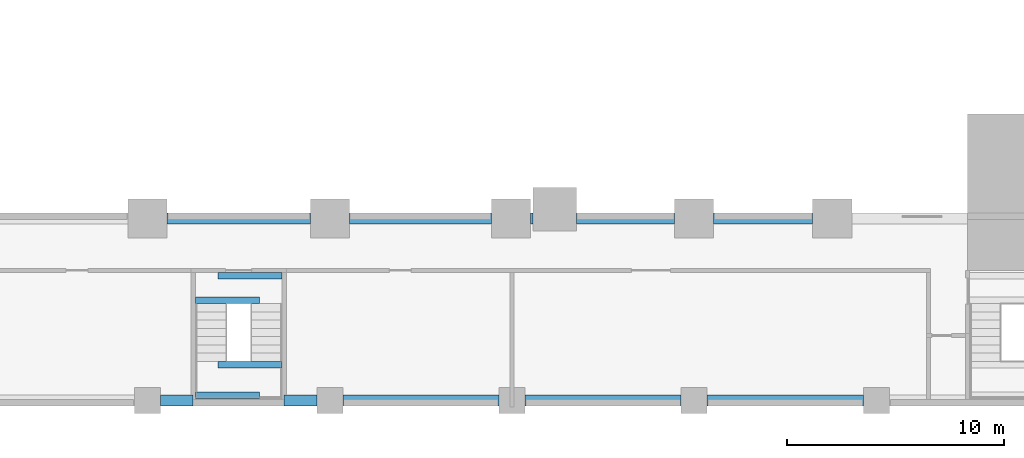
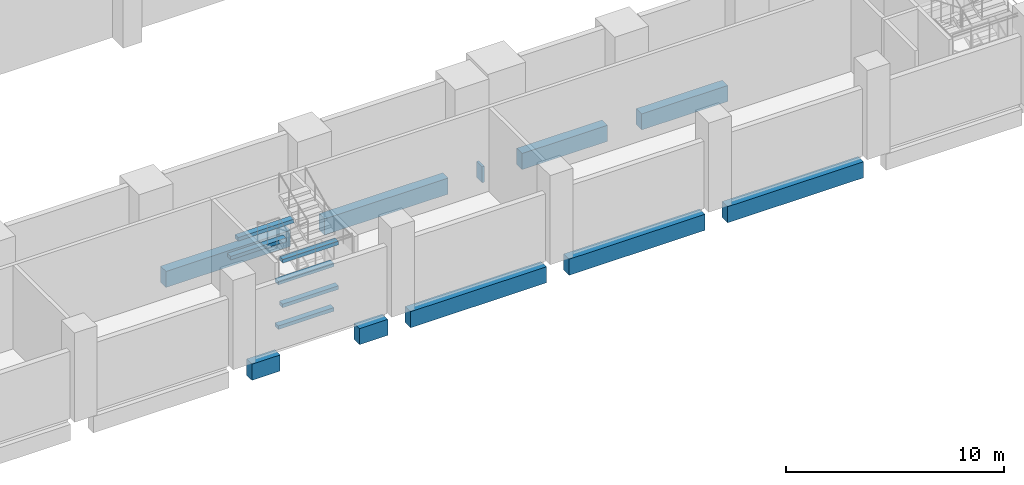
# One storey, part 4 of 28: 16 beams.
"""IFC4 building model written with IfcOpenShell, lengths in metres."""

import ifcopenshell
import ifcopenshell.guid

model = None  # the IFC model being written
_history = None  # IfcOwnerHistory: only IFC2X3 demands one
_inside = {}  # id of a spatial element -> (the spatial element, [elements in it])
_under = {}  # id of a project, library or spatial element -> (it, [spatial elements below it])
_declared = {}  # id of a project -> (the project, [libraries it declares])
_typed = {}  # id of a type object -> (the type object, [elements of that type])
_made_of = {}  # id of a material, layer set ... -> (it, [elements and type objects made of it])


def new_model(schema):
    """Start an empty IFC model of exactly this schema.

    Asked for "IFC4X3", IfcOpenShell would pick the latest addendum, in which some entities
    have other attributes; the version numbers below select the first issue.
    IFC2X3 requires an IfcOwnerHistory on every rooted entity: one is made here for all.
    """
    global model, _history
    if schema == "IFC4X3":
        model = ifcopenshell.file(schema_version=(4, 3, 0, 0))
    else:
        model = ifcopenshell.file(schema=schema)
    _inside.clear()
    _under.clear()
    _declared.clear()
    _typed.clear()
    _made_of.clear()
    _history = None
    if model.schema == "IFC2X3":
        org = make("IfcOrganization", Name="unknown")
        user = make(
            "IfcPersonAndOrganization",
            ThePerson=make("IfcPerson", FamilyName="unknown"),
            TheOrganization=org,
        )
        app = make(
            "IfcApplication",
            ApplicationDeveloper=org,
            Version="unknown",
            ApplicationFullName="unknown",
            ApplicationIdentifier="unknown",
        )
        _history = make(
            "IfcOwnerHistory",
            OwningUser=user,
            OwningApplication=app,
            ChangeAction="ADDED",
            CreationDate=0,
        )
    return model


def make(cls, **values):
    """One entity of the class cls with the attributes given. An attribute that is None is left unset."""
    return model.create_entity(
        cls, **{name: value for name, value in values.items() if value is not None}
    )


def rooted(cls, **values):
    """An entity with a GlobalId (a new one), such as an element, a storey or a relation."""
    return make(cls, GlobalId=ifcopenshell.guid.new(), OwnerHistory=_history, **values)


def si_unit(unit_type, name, prefix=None):
    """IfcSIUnit, for example si_unit("LENGTHUNIT", "METRE", prefix="MILLI")."""
    return make("IfcSIUnit", UnitType=unit_type, Prefix=prefix, Name=name)


def assignment(units):
    """IfcUnitAssignment: the units of a project."""
    return None if units is None else make("IfcUnitAssignment", Units=units)


def point(xyz):
    """IfcCartesianPoint."""
    return None if xyz is None else make("IfcCartesianPoint", Coordinates=xyz)


def direction(xyz):
    """IfcDirection."""
    return None if xyz is None else make("IfcDirection", DirectionRatios=xyz)


def frame(location, z_axis=None, x_axis=None):
    """IfcAxis2Placement3D, a coordinate frame: its origin and axes. An axis left out is left unset."""
    return make(
        "IfcAxis2Placement3D",
        Location=point(location),
        Axis=direction(z_axis),
        RefDirection=direction(x_axis),
    )


def frame_2d(location, x_axis=None):
    """IfcAxis2Placement2D, a coordinate frame in the plane: its origin and x axis."""
    return make(
        "IfcAxis2Placement2D", Location=point(location), RefDirection=direction(x_axis)
    )


def origin():
    """The frame at (0, 0, 0) with its axes left unset."""
    return frame((0.0, 0.0, 0.0))


def origin_2d():
    """The frame at (0, 0) in the plane with its x axis left unset."""
    return frame_2d((0.0, 0.0))


def place(relative_to, where):
    """IfcLocalPlacement: puts the frame where relative to a parent placement (None: the world)."""
    return make(
        "IfcLocalPlacement", PlacementRelTo=relative_to, RelativePlacement=where
    )


def context(
    kind, dimensions, precision=None, world=None, true_north=None, identifier=None
):
    """IfcGeometricRepresentationContext, for example the 3D "Model" context."""
    return make(
        "IfcGeometricRepresentationContext",
        ContextIdentifier=identifier,
        ContextType=kind,
        CoordinateSpaceDimension=dimensions,
        Precision=precision,
        WorldCoordinateSystem=world,
        TrueNorth=true_north,
    )


def subcontext(parent, identifier, kind, view, scale=None):
    """IfcGeometricRepresentationSubContext, for example "Body" below "Model"."""
    return make(
        "IfcGeometricRepresentationSubContext",
        ContextIdentifier=identifier,
        ContextType=kind,
        ParentContext=parent,
        TargetScale=scale,
        TargetView=view,
    )


def project(units=None, contexts=None):
    """IfcProject with its units and contexts."""
    return rooted(
        "IfcProject",
        Name="project",
        RepresentationContexts=contexts,
        UnitsInContext=assignment(units),
    )


def spatial(cls, under=None, at=None, **own):
    """A site, building, storey or space (cls), placed at a placement, below another one or the project."""
    s = rooted(cls, ObjectPlacement=at, **own)
    if under is not None:
        _under.setdefault(under.id(), (under, []))[1].append(s)
    return s


def profile(cls, at=None, kind="AREA", **sizes):
    """A parametric profile (cls). Its sizes go by their IFC names, for example OverallWidth=200.0."""
    return make(cls, ProfileType=kind, Position=at, **sizes)


def rectangle(**sizes):
    """IfcRectangleProfileDef."""
    return profile("IfcRectangleProfileDef", **sizes)


def extrude(swept, where, along, depth):
    """IfcExtrudedAreaSolid: the profile swept, set in the frame where, extruded along a direction by depth."""
    return make(
        "IfcExtrudedAreaSolid",
        SweptArea=swept,
        Position=where,
        ExtrudedDirection=direction(along),
        Depth=depth,
    )


def shape(context_of_items, identifier, shape_type, items):
    """IfcShapeRepresentation: the items that make up one representation, for example the "Body"."""
    return make(
        "IfcShapeRepresentation",
        ContextOfItems=context_of_items,
        RepresentationIdentifier=identifier,
        RepresentationType=shape_type,
        Items=items,
    )


def material(Name=None, Category=None):
    """IfcMaterial."""
    return make("IfcMaterial", Name=Name, Category=Category)


def material_profile(
    of_material, cross_section, Name=None, Category=None, Priority=None
):
    """IfcMaterialProfile: a cross section and its material."""
    return make(
        "IfcMaterialProfile",
        Name=Name,
        Material=of_material,
        Profile=cross_section,
        Priority=Priority,
        Category=Category,
    )


def profile_set(profiles, Name=None, composite=None):
    """IfcMaterialProfileSet."""
    return make(
        "IfcMaterialProfileSet",
        Name=Name,
        MaterialProfiles=profiles,
        CompositeProfile=composite,
    )


def made_of(thing, what):
    """Note that an element or type object is made of a material, layer set ...; save() writes the relation."""
    if what is not None:
        _made_of.setdefault(what.id(), (what, []))[1].append(thing)
    return thing


def type_object(cls, material=None, **own):
    """A type object (cls), such as IfcWallType, which elements share."""
    return made_of(rooted(cls, **own), material)


def element(
    cls,
    number,
    at=None,
    inside=None,
    cuts=None,
    type_object=None,
    material=None,
    context=None,
    identifier="Body",
    shape_type=None,
    held_by="IfcProductDefinitionShape",
    body=None,
    shapes=None,
    **own,
):
    """One element of the class cls, such as IfcWall. Its Tag is "e" and its number.

    at: its placement. inside: the storey or other place that contains it. cuts: it is an
    opening in that element (IfcRelVoidsElement). A single representation is given by context,
    identifier, shape_type and body (its items); several are given by shapes. held_by: the class
    of the entity that holds the representations. save() writes the other relations.
    """
    e = rooted(cls, Tag="e%d" % number, ObjectPlacement=at, **own)
    if body is not None:
        shapes = [shape(context, identifier, shape_type, body)]
    if shapes is not None:
        e.Representation = make(held_by, Representations=shapes)
    if inside is not None:
        _inside.setdefault(inside.id(), (inside, []))[1].append(e)
    if cuts is not None:
        rooted(
            "IfcRelVoidsElement", RelatingBuildingElement=cuts, RelatedOpeningElement=e
        )
    if type_object is not None:
        _typed.setdefault(type_object.id(), (type_object, []))[1].append(e)
    return made_of(e, material)


def aggregate(whole, parts):
    """IfcRelAggregates: a whole, such as a stair, and the parts it consists of."""
    return rooted("IfcRelAggregates", RelatingObject=whole, RelatedObjects=parts)


def save(model, path):
    """Write the relations noted so far, then the file.

    IfcRelAggregates (storeys below a building ...), IfcRelContainedInSpatialStructure (elements
    in a storey), IfcRelDefinesByType, IfcRelAssociatesMaterial and IfcRelDeclares: one each for
    every whole, place, type object, material and project.
    """
    for whole, parts in _under.values():
        aggregate(whole, parts)
    for where, things in _inside.values():
        rooted(
            "IfcRelContainedInSpatialStructure",
            RelatedElements=things,
            RelatingStructure=where,
        )
    for kind, things in _typed.values():
        rooted("IfcRelDefinesByType", RelatedObjects=things, RelatingType=kind)
    for what, things in _made_of.values():
        rooted("IfcRelAssociatesMaterial", RelatedObjects=things, RelatingMaterial=what)
    for by, libraries in _declared.values():
        rooted("IfcRelDeclares", RelatingContext=by, RelatedDefinitions=libraries)
    model.write(path)


model = new_model("IFC4")

# Units and contexts
model_context = context("Model", 3, precision=1e-05, world=origin(), true_north=direction((0.0, 1.0)))
body_context = subcontext(model_context, "Body", "Model", "MODEL_VIEW")
ifc_project = project(units=[si_unit("LENGTHUNIT", "METRE"), si_unit("AREAUNIT", "SQUARE_METRE"), si_unit("VOLUMEUNIT", "CUBIC_METRE"), si_unit("PLANEANGLEUNIT", "RADIAN"), si_unit("MASSUNIT", "GRAM", prefix="KILO")], contexts=[model_context])

# Site, building, storey
site_placement = place(None, origin())
site = spatial("IfcSite", under=ifc_project, at=site_placement, CompositionType="ELEMENT")
building_placement = place(site_placement, origin())
building = spatial("IfcBuilding", under=site, at=building_placement, Name="Marenta Gate Hotel Tower", CompositionType="ELEMENT")
storey_placement = place(building_placement, frame((0.0, 0.0, 26.0)))
storey = spatial("IfcBuildingStorey", under=building, at=storey_placement, Name="L04", CompositionType="ELEMENT", Elevation=26.0)

# Beams
ifc_material_1 = material(Name="Concrete C60", Category="concrete")
ifc_material_profile_1 = material_profile(ifc_material_1, rectangle(XDim=0.5, YDim=0.89990234375, at=origin_2d()), Name="500 x 900")
ifc_profile_set_1 = profile_set([ifc_material_profile_1], Name="Concrete C60")
beam_type_1 = type_object("IfcBeamType", Name="Podium edge beam 500 x 900 C60", PredefinedType="BEAM", material=ifc_profile_set_1)
for number, where, z_axis, x_axis, name in (
    (1, (-3.60009765625, -25.199951171875, -0.77001953125), (1.0, 0.0, 0.0), (0.0, 1.0, 0.0), "L04-PBM-134"),
    (2, (2.10009765625, -25.199951171875, -0.77001953125), (1.0, 0.0, 0.0), (0.0, 1.0, 0.0), "L04-PBM-135"),
):
    element("IfcBeam", number, at=place(storey_placement, frame(where, z_axis=z_axis, x_axis=x_axis)), inside=storey, type_object=beam_type_1, Name=name, PredefinedType="BEAM", context=body_context, shape_type="SweptSolid", body=[
        extrude(rectangle(XDim=0.5, YDim=0.89990234375, at=origin_2d()), origin(), (0.0, 0.0, 1.0), 1.5),
    ])
for number, where, z_axis, x_axis, name in (
    (3, (4.800048828125, -25.199951171875, -0.77001953125), (1.0, 0.0, 0.0), (0.0, 1.0, 0.0), "L04-PBM-136"),
    (4, (13.199951171875, -25.199951171875, -0.77001953125), (1.0, 0.0, 0.0), (0.0, 1.0, 0.0), "L04-PBM-137"),
    (5, (21.60009765625, -25.199951171875, -0.77001953125), (1.0, 0.0, 0.0), (0.0, 1.0, 0.0), "L04-PBM-138"),
):
    element("IfcBeam", number, at=place(storey_placement, frame(where, z_axis=z_axis, x_axis=x_axis)), inside=storey, type_object=beam_type_1, Name=name, PredefinedType="BEAM", context=body_context, shape_type="SweptSolid", body=[
        extrude(rectangle(XDim=0.5, YDim=0.89990234375, at=origin_2d()), origin(), (0.0, 0.0, 1.0), 7.199951171875),
    ])
beam_1_placement = place(storey_placement, frame((26.462890625, -16.800048828125, -0.77001953125), z_axis=(-1.0, 0.0, 0.0), x_axis=(0.0, -1.0, 0.0)))
element("IfcBeam", 6, at=beam_1_placement, inside=storey, type_object=beam_type_1, Name="L04-PBM-142", PredefinedType="BEAM", context=body_context, shape_type="SweptSolid", body=[
    extrude(rectangle(XDim=0.5, YDim=0.89990234375, at=origin_2d()), origin(), (0.0, 0.0, 1.0), 4.56298828125),
])
beam_2_placement = place(storey_placement, frame((20.10009765625, -16.800048828125, -0.77001953125), z_axis=(-1.0, 0.0, 0.0), x_axis=(0.0, -1.0, 0.0)))
element("IfcBeam", 7, at=beam_2_placement, inside=storey, type_object=beam_type_1, Name="L04-PBM-143", PredefinedType="BEAM", context=body_context, shape_type="SweptSolid", body=[
    extrude(rectangle(XDim=0.5, YDim=0.89990234375, at=origin_2d()), origin(), (0.0, 0.0, 1.0), 4.53369140625),
])
beam_3_placement = place(storey_placement, frame((13.56640625, -16.800048828125, -0.77001953125), z_axis=(-1.0, 0.0, 0.0), x_axis=(0.0, -1.0, 0.0)))
element("IfcBeam", 8, at=beam_3_placement, inside=storey, type_object=beam_type_1, Name="L04-PBM-144", PredefinedType="BEAM", context=body_context, shape_type="SweptSolid", body=[
    extrude(rectangle(XDim=0.5, YDim=0.89990234375, at=origin_2d()), origin(), (0.0, 0.0, 1.0), 0.1201171875),
])
beam_4_placement = place(storey_placement, frame((11.646240234375, -16.800048828125, -0.77001953125), z_axis=(-1.0, 0.0, 0.0), x_axis=(0.0, -1.0, 0.0)))
element("IfcBeam", 9, at=beam_4_placement, inside=storey, type_object=beam_type_1, Name="L04-PBM-145", PredefinedType="BEAM", context=body_context, shape_type="SweptSolid", body=[
    extrude(rectangle(XDim=0.5, YDim=0.89990234375, at=origin_2d()), origin(), (0.0, 0.0, 1.0), 6.546142578125),
])
beam_5_placement = place(storey_placement, frame((3.300048828125, -16.800048828125, -0.77001953125), z_axis=(-1.0, 0.0, 0.0), x_axis=(0.0, -1.0, 0.0)))
element("IfcBeam", 10, at=beam_5_placement, inside=storey, type_object=beam_type_1, Name="L04-PBM-146", PredefinedType="BEAM", context=body_context, shape_type="SweptSolid", body=[
    extrude(rectangle(XDim=0.5, YDim=0.89990234375, at=origin_2d()), origin(), (0.0, 0.0, 1.0), 6.60009765625),
])
ifc_material_2 = material(Name="Concrete C40", Category="concrete")
ifc_material_profile_2 = material_profile(ifc_material_2, rectangle(XDim=0.300048828125, YDim=0.199951171875, at=origin_2d()), Name="300 x 200")
ifc_profile_set_2 = profile_set([ifc_material_profile_2], Name="Concrete C40")
beam_type_2 = type_object("IfcBeamType", Name="Stair landing trimmer 300 x 200 C40", PredefinedType="BEAM", material=ifc_profile_set_2)
for number, where, z_axis, x_axis, name in (
    (11, (-2.0, -24.949951171875, 0.949951171875), (1.0, 0.0, 0.0), (0.0, 1.0, 0.0), "L04-PX5-LT-1"),
    (12, (-0.949951171875, -23.5400390625, 0.949951171875), (1.0, 0.0, 0.0), (0.0, 1.0, 0.0), "L04-PX5-LT-2"),
    (13, (-2.0, -20.580078125, 2.199951171875), (1.0, 0.0, 0.0), (0.0, 1.0, 0.0), "L04-PX5-LT-3"),
    (14, (-0.949951171875, -19.449951171875, 2.199951171875), (1.0, 0.0, 0.0), (0.0, 1.0, 0.0), "L04-PX5-LT-4"),
    (15, (-2.0, -24.949951171875, 3.449951171875), (1.0, 0.0, 0.0), (0.0, 1.0, 0.0), "L04-PX5-LT-5"),
    (16, (-0.949951171875, -23.5400390625, 3.449951171875), (1.0, 0.0, 0.0), (0.0, 1.0, 0.0), "L04-PX5-LT-6"),
):
    element("IfcBeam", number, at=place(storey_placement, frame(where, z_axis=z_axis, x_axis=x_axis)), inside=storey, type_object=beam_type_2, Name=name, PredefinedType="BEAM", context=body_context, shape_type="SweptSolid", body=[
        extrude(rectangle(XDim=0.300048828125, YDim=0.199951171875, at=origin_2d()), origin(), (0.0, 0.0, 1.0), 2.949951171875),
    ])

save(model, "model.ifc")
